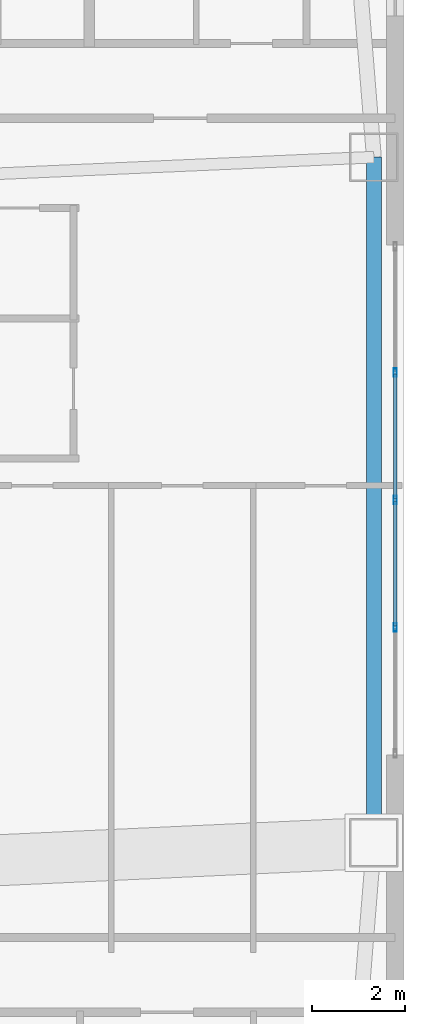
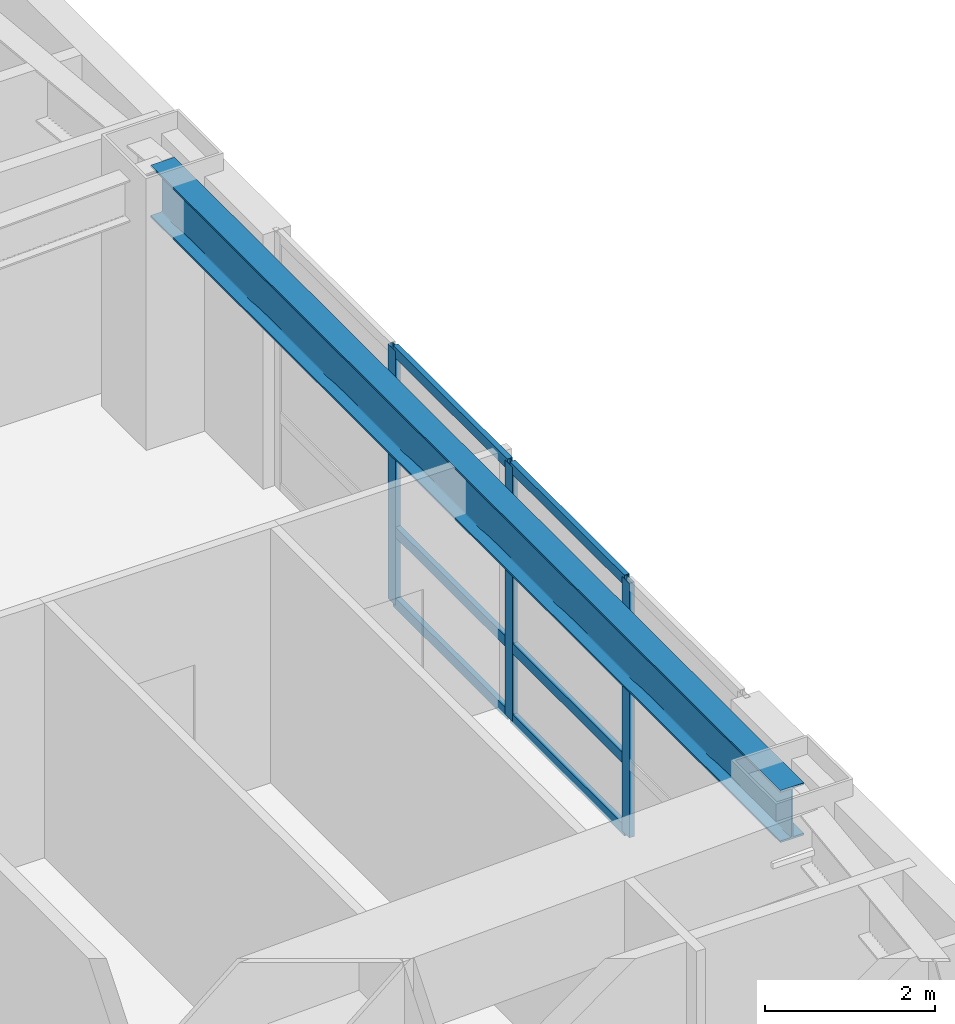
# One storey, part 14 of 28: 9 members, 1 beam, 1 element without a shape of its own.
"""IFC4 building model written with IfcOpenShell, lengths in metres."""

from ifc_helpers import new_model, si_unit, direction, frame, origin, origin_2d, place, context, subcontext, project, spatial, hollow_rectangle, i_section, extrude, material, layer, layer_set, material_profile, profile_set, type_object, element, aggregate, save


model = new_model("IFC4")

# Units and contexts
model_context = context("Model", 3, precision=1e-05, world=origin(), true_north=direction((0.0, 1.0)))
body_context = subcontext(model_context, "Body", "Model", "MODEL_VIEW")
ifc_project = project(units=[si_unit("LENGTHUNIT", "METRE"), si_unit("AREAUNIT", "SQUARE_METRE"), si_unit("VOLUMEUNIT", "CUBIC_METRE"), si_unit("PLANEANGLEUNIT", "RADIAN"), si_unit("MASSUNIT", "GRAM", prefix="KILO")], contexts=[model_context])

# Site, building, storey
site_placement = place(None, origin())
site = spatial("IfcSite", under=ifc_project, at=site_placement, CompositionType="ELEMENT")
building_placement = place(site_placement, origin())
building = spatial("IfcBuilding", under=site, at=building_placement, Name="Voryun Gate Residences", CompositionType="ELEMENT")
storey_placement = place(building_placement, frame((0.0, 0.0, 117.0)))
storey = spatial("IfcBuildingStorey", under=building, at=storey_placement, Name="L28", CompositionType="ELEMENT", Elevation=117.0)

# Beam
ifc_material_1 = material(Name="Steel SM355", Category="steel")
ifc_material_profile_1 = material_profile(ifc_material_1, i_section(OverallWidth=0.320068359375, OverallDepth=0.75, WebThickness=0.01611328125, FlangeThickness=0.028076171875, FilletRadius=0.01806640625, at=origin_2d()), Name="H-750x320x16x28")
ifc_profile_set_1 = profile_set([ifc_material_profile_1], Name="Steel SM355")
beam_type = type_object("IfcBeamType", Name="BM_EXO_SPANDREL_L", PredefinedType="SPANDREL", material=ifc_profile_set_1)
beam_placement = place(storey_placement, frame((32.75, -6.798095703125, 3.27490234375), z_axis=(0.0, 1.0, 0.0), x_axis=(-1.0, 0.0, 0.0)))
element("IfcBeam", 1, at=beam_placement, inside=storey, type_object=beam_type, Name="BM-L28-SPAND-08", PredefinedType="SPANDREL", context=body_context, shape_type="SweptSolid", body=[
    extrude(i_section(OverallWidth=0.320068359375, OverallDepth=0.75, WebThickness=0.01611328125, FlangeThickness=0.028076171875, FilletRadius=0.01806640625, at=origin_2d()), origin(), (0.0, 0.0, 1.0), 14.796142578125),
])

# Curtain wall, members
ifc_material_2 = material(Name="Anodised aluminium", Category="aluminium")
ifc_layer = layer(ifc_material_2, 0.179931640625, Name="CW_SYS_RES_A_DARK_GLASS")
ifc_layer_set = layer_set([ifc_layer], Name="Anodised aluminium")
curtain_wall_type = type_object("IfcCurtainWallType", Name="CW_SYS_RES_A_DARK_GLASS", PredefinedType="NOTDEFINED", material=ifc_layer_set)
curtain_wall_placement = place(storey_placement, origin())
curtain_wall = element("IfcCurtainWall", 2, at=curtain_wall_placement, inside=storey, type_object=curtain_wall_type, Name="Curtain wall CWT-L28-16", PredefinedType="NOTDEFINED")
ifc_material_3 = material(Name="Anodised aluminium", Category="aluminium")
ifc_material_profile_2 = material_profile(ifc_material_3, hollow_rectangle(XDim=0.070068359375, YDim=0.179931640625, WallThickness=0.00390625, at=origin_2d()), Name="ALU-MULL-180x70x4")
ifc_profile_set_2 = profile_set([ifc_material_profile_2], Name="Anodised aluminium")
member_type_1 = type_object("IfcMemberType", Name="CW_MULL_RES", PredefinedType="MULLION", material=ifc_profile_set_2)
member_1_placement = place(storey_placement, frame((33.2099609375, 3.34912109375, 0.0), z_axis=(0.0, 0.0, 1.0), x_axis=(1.0, 0.0, 0.0)))
member_1 = element("IfcMember", 3, at=member_1_placement, type_object=member_type_1, Name="CW3 mullion 2", PredefinedType="MULLION", context=body_context, shape_type="SweptSolid", body=[
    extrude(hollow_rectangle(XDim=0.070068359375, YDim=0.179931640625, WallThickness=0.00390625, at=origin_2d()), origin(), (0.0, 0.0, 1.0), 3.64990234375),
])
member_2_placement = place(storey_placement, frame((33.2099609375, 0.60009765625, 0.0), z_axis=(0.0, 0.0, 1.0), x_axis=(1.0, 0.0, 0.0)))
member_2 = element("IfcMember", 4, at=member_2_placement, type_object=member_type_1, Name="CW3 mullion 3", PredefinedType="MULLION", context=body_context, shape_type="SweptSolid", body=[
    extrude(hollow_rectangle(XDim=0.070068359375, YDim=0.179931640625, WallThickness=0.00390625, at=origin_2d()), origin(), (0.0, 0.0, 1.0), 3.64990234375),
])
member_3_placement = place(storey_placement, frame((33.2099609375, -2.14892578125, 0.0), z_axis=(0.0, 0.0, 1.0), x_axis=(1.0, 0.0, 0.0)))
member_3 = element("IfcMember", 5, at=member_3_placement, type_object=member_type_1, Name="CW3 mullion 4", PredefinedType="MULLION", context=body_context, shape_type="SweptSolid", body=[
    extrude(hollow_rectangle(XDim=0.070068359375, YDim=0.179931640625, WallThickness=0.00390625, at=origin_2d()), origin(), (0.0, 0.0, 1.0), 3.64990234375),
])
ifc_material_4 = material(Name="Anodised aluminium", Category="aluminium")
ifc_material_profile_3 = material_profile(ifc_material_4, hollow_rectangle(XDim=0.070068359375, YDim=0.14990234375, WallThickness=0.00390625, at=origin_2d()), Name="ALU-TRAN-150x70x4")
ifc_profile_set_3 = profile_set([ifc_material_profile_3], Name="Anodised aluminium")
member_type_2 = type_object("IfcMemberType", Name="CW_TRAN_RES", PredefinedType="USERDEFINED", material=ifc_profile_set_3)
member_4_placement = place(storey_placement, frame((33.2099609375, 3.319091796875, 0.030029296875), z_axis=(0.0, -1.0, 0.0), x_axis=(1.0, 0.0, 0.0)))
member_4 = element("IfcMember", 6, at=member_4_placement, type_object=member_type_2, Name="CW3 transom 2.1", ObjectType="TRANSOM", PredefinedType="USERDEFINED", context=body_context, shape_type="SweptSolid", body=[
    extrude(hollow_rectangle(XDim=0.070068359375, YDim=0.14990234375, WallThickness=0.00390625, at=origin_2d()), origin(), (0.0, 0.0, 1.0), 2.689208984375),
])
member_5_placement = place(storey_placement, frame((33.2099609375, 3.319091796875, 1.050048828125), z_axis=(0.0, -1.0, 0.0), x_axis=(1.0, 0.0, 0.0)))
member_5 = element("IfcMember", 7, at=member_5_placement, type_object=member_type_2, Name="CW3 transom 2.2", ObjectType="TRANSOM", PredefinedType="USERDEFINED", context=body_context, shape_type="SweptSolid", body=[
    extrude(hollow_rectangle(XDim=0.070068359375, YDim=0.14990234375, WallThickness=0.00390625, at=origin_2d()), origin(), (0.0, 0.0, 1.0), 2.689208984375),
])
member_6_placement = place(storey_placement, frame((33.2099609375, 3.319091796875, 3.6201171875), z_axis=(0.0, -1.0, 0.0), x_axis=(1.0, 0.0, 0.0)))
member_6 = element("IfcMember", 8, at=member_6_placement, type_object=member_type_2, Name="CW3 transom 2.3", ObjectType="TRANSOM", PredefinedType="USERDEFINED", context=body_context, shape_type="SweptSolid", body=[
    extrude(hollow_rectangle(XDim=0.070068359375, YDim=0.14990234375, WallThickness=0.00390625, at=origin_2d()), origin(), (0.0, 0.0, 1.0), 2.689208984375),
])
member_7_placement = place(storey_placement, frame((33.2099609375, 0.570068359375, 0.030029296875), z_axis=(0.0, -1.0, 0.0), x_axis=(1.0, 0.0, 0.0)))
member_7 = element("IfcMember", 9, at=member_7_placement, type_object=member_type_2, Name="CW3 transom 3.1", ObjectType="TRANSOM", PredefinedType="USERDEFINED", context=body_context, shape_type="SweptSolid", body=[
    extrude(hollow_rectangle(XDim=0.070068359375, YDim=0.14990234375, WallThickness=0.00390625, at=origin_2d()), origin(), (0.0, 0.0, 1.0), 2.68896484375),
])
member_8_placement = place(storey_placement, frame((33.2099609375, 0.570068359375, 1.050048828125), z_axis=(0.0, -1.0, 0.0), x_axis=(1.0, 0.0, 0.0)))
member_8 = element("IfcMember", 10, at=member_8_placement, type_object=member_type_2, Name="CW3 transom 3.2", ObjectType="TRANSOM", PredefinedType="USERDEFINED", context=body_context, shape_type="SweptSolid", body=[
    extrude(hollow_rectangle(XDim=0.070068359375, YDim=0.14990234375, WallThickness=0.00390625, at=origin_2d()), origin(), (0.0, 0.0, 1.0), 2.68896484375),
])
member_9_placement = place(storey_placement, frame((33.2099609375, 0.570068359375, 3.6201171875), z_axis=(0.0, -1.0, 0.0), x_axis=(1.0, 0.0, 0.0)))
member_9 = element("IfcMember", 11, at=member_9_placement, type_object=member_type_2, Name="CW3 transom 3.3", ObjectType="TRANSOM", PredefinedType="USERDEFINED", context=body_context, shape_type="SweptSolid", body=[
    extrude(hollow_rectangle(XDim=0.070068359375, YDim=0.14990234375, WallThickness=0.00390625, at=origin_2d()), origin(), (0.0, 0.0, 1.0), 2.68896484375),
])
aggregate(curtain_wall, [member_1, member_2, member_3, member_4, member_5, member_6, member_7, member_8, member_9])

save(model, "model.ifc")
